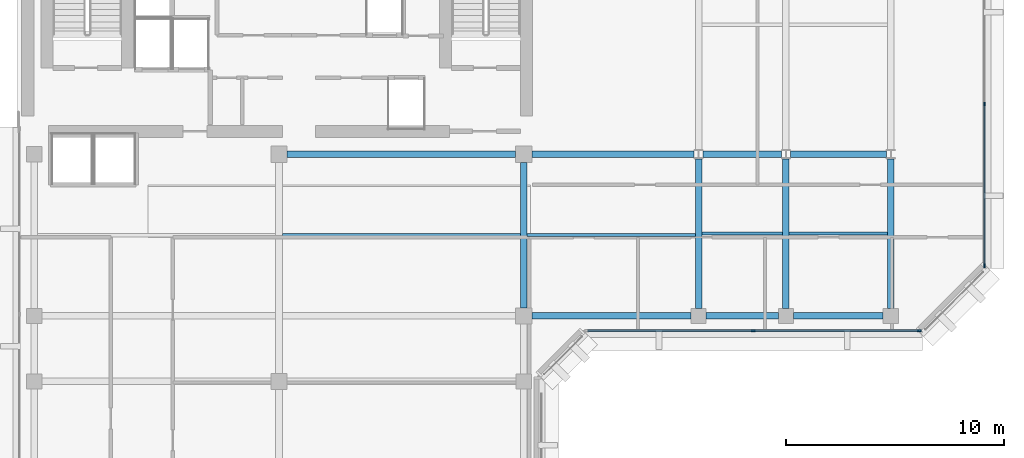
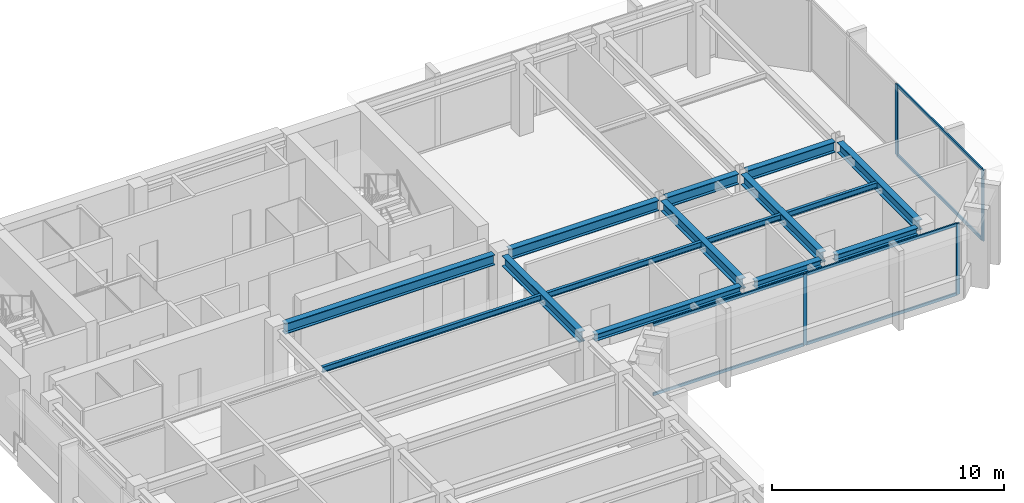
# One storey, part 3 of 11: 15 beams, 10 members, 2 elements without a shape of their own.
"""IFC4 building model written with IfcOpenShell, lengths in metres."""

from ifc_helpers import new_model, si_unit, direction, frame, origin, origin_2d, place, context, subcontext, project, spatial, rectangle, i_section, extrude, material, layer, layer_set, material_profile, profile_set, type_object, element, aggregate, save


model = new_model("IFC4")

# Units and contexts
model_context = context("Model", 3, precision=1e-05, world=origin(), true_north=direction((0.0, 1.0)))
body_context = subcontext(model_context, "Body", "Model", "MODEL_VIEW")
ifc_project = project(units=[si_unit("LENGTHUNIT", "METRE"), si_unit("AREAUNIT", "SQUARE_METRE"), si_unit("VOLUMEUNIT", "CUBIC_METRE"), si_unit("PLANEANGLEUNIT", "RADIAN"), si_unit("MASSUNIT", "GRAM", prefix="KILO")], contexts=[model_context])

# Site, building, storey
site_placement = place(None, origin())
site = spatial("IfcSite", under=ifc_project, at=site_placement, CompositionType="ELEMENT")
building_placement = place(site_placement, origin())
building = spatial("IfcBuilding", under=site, at=building_placement, Name="Kefirva Bronze Tower", CompositionType="ELEMENT")
storey_placement = place(building_placement, frame((0.0, 0.0, 284.1298828125)))
storey = spatial("IfcBuildingStorey", under=building, at=storey_placement, Name="L69", CompositionType="ELEMENT", Elevation=284.1298828125)

# Curtain wall, members
ifc_material_1 = material(Name="Bronze anodised aluminium", Category="aluminium")
ifc_layer = layer(ifc_material_1, 0.179931640625, Name="Bronze anodised aluminium")
ifc_layer_set = layer_set([ifc_layer], Name="Bronze anodised aluminium")
curtain_wall_type = type_object("IfcCurtainWallType", Name="Unitised Bronze Ribbon Curtain Wall Zone 4", PredefinedType="USERDEFINED", material=ifc_layer_set)
curtain_wall_1_placement = place(storey_placement, origin())
curtain_wall_1 = element("IfcCurtainWall", 1, at=curtain_wall_1_placement, inside=storey, type_object=curtain_wall_type, Name="L69 Curtain Wall 2", ObjectType="UNITISED CURTAIN WALL", PredefinedType="USERDEFINED")
ifc_material_profile_1 = material_profile(ifc_material_1, rectangle(XDim=0.074951171875, YDim=0.179931640625, at=origin_2d()), Name="ALU 75x180")
ifc_profile_set_1 = profile_set([ifc_material_profile_1], Name="Bronze anodised aluminium")
member_type_1 = type_object("IfcMemberType", Name="Bronze Mullion 75x180", PredefinedType="MULLION", material=ifc_profile_set_1)
member_1_placement = place(storey_placement, frame((33.699951171875, 25.1201171875, 0.0), z_axis=(0.0, 0.0, 1.0), x_axis=(0.0, 1.0, 0.0)))
member_1 = element("IfcMember", 2, at=member_1_placement, type_object=member_type_1, Name="CW-04 mullion 2", PredefinedType="MULLION", context=body_context, shape_type="SweptSolid", body=[
    extrude(rectangle(XDim=0.074951171875, YDim=0.179931640625, at=origin_2d()), origin(), (0.0, 0.0, 1.0), 3.740234375),
])
member_2_placement = place(storey_placement, frame((41.3076171875, 25.1201171875, 0.0), z_axis=(0.0, 0.0, 1.0), x_axis=(0.0, 1.0, 0.0)))
member_2 = element("IfcMember", 3, at=member_2_placement, type_object=member_type_1, Name="CW-04 mullion 3", PredefinedType="MULLION", context=body_context, shape_type="SweptSolid", body=[
    extrude(rectangle(XDim=0.074951171875, YDim=0.179931640625, at=origin_2d()), origin(), (0.0, 0.0, 1.0), 3.740234375),
])

curtain_wall_2_placement = place(storey_placement, origin())
curtain_wall_2 = element("IfcCurtainWall", 4, at=curtain_wall_2_placement, inside=storey, type_object=curtain_wall_type, Name="L69 Curtain Wall 3", ObjectType="UNITISED CURTAIN WALL", PredefinedType="USERDEFINED")
member_3_placement = place(storey_placement, frame((44.280029296875, 28.092529296875, 0.0), z_axis=(0.0, 0.0, 1.0), x_axis=(-1.0, 0.0, 0.0)))
member_3 = element("IfcMember", 5, at=member_3_placement, type_object=member_type_1, Name="CW-04 mullion 1", PredefinedType="MULLION", context=body_context, shape_type="SweptSolid", body=[
    extrude(rectangle(XDim=0.074951171875, YDim=0.179931640625, at=origin_2d()), origin(), (0.0, 0.0, 1.0), 3.740234375),
])
member_4_placement = place(storey_placement, frame((44.280029296875, 35.5, 0.0), z_axis=(0.0, 0.0, 1.0), x_axis=(-1.0, 0.0, 0.0)))
member_4 = element("IfcMember", 6, at=member_4_placement, type_object=member_type_1, Name="CW-04 mullion 2", PredefinedType="MULLION", context=body_context, shape_type="SweptSolid", body=[
    extrude(rectangle(XDim=0.074951171875, YDim=0.179931640625, at=origin_2d()), origin(), (0.0, 0.0, 1.0), 3.740234375),
])

# Member
ifc_material_profile_2 = material_profile(ifc_material_1, rectangle(XDim=0.074951171875, YDim=0.14990234375, at=origin_2d()), Name="ALU 75x150")
ifc_profile_set_2 = profile_set([ifc_material_profile_2], Name="Bronze anodised aluminium")
member_type_2 = type_object("IfcMemberType", Name="Bronze Transom 75x150", PredefinedType="USERDEFINED", material=ifc_profile_set_2)
member_5_placement = place(storey_placement, frame((26.1298828125, 25.1201171875, 0.03759765625), z_axis=(1.0, 0.0, 0.0), x_axis=(0.0, 1.0, 0.0)))
member_5 = element("IfcMember", 7, at=member_5_placement, type_object=member_type_2, Name="CW-04 transom 1.1", ObjectType="TRANSOM", PredefinedType="USERDEFINED", context=body_context, shape_type="SweptSolid", body=[
    extrude(rectangle(XDim=0.074951171875, YDim=0.14990234375, at=origin_2d()), origin(), (0.0, 0.0, 1.0), 7.53271484375),
])

member_6_placement = place(storey_placement, frame((26.1298828125, 25.1201171875, 3.70263671875), z_axis=(1.0, 0.0, 0.0), x_axis=(0.0, 1.0, 0.0)))
member_6 = element("IfcMember", 8, at=member_6_placement, type_object=member_type_2, Name="CW-04 transom 1.2", ObjectType="TRANSOM", PredefinedType="USERDEFINED", context=body_context, shape_type="SweptSolid", body=[
    extrude(rectangle(XDim=0.074951171875, YDim=0.14990234375, at=origin_2d()), origin(), (0.0, 0.0, 1.0), 7.53271484375),
])

member_7_placement = place(storey_placement, frame((33.737548828125, 25.1201171875, 0.03759765625), z_axis=(1.0, 0.0, 0.0), x_axis=(0.0, 1.0, 0.0)))
member_7 = element("IfcMember", 9, at=member_7_placement, type_object=member_type_2, Name="CW-04 transom 2.1", ObjectType="TRANSOM", PredefinedType="USERDEFINED", context=body_context, shape_type="SweptSolid", body=[
    extrude(rectangle(XDim=0.074951171875, YDim=0.14990234375, at=origin_2d()), origin(), (0.0, 0.0, 1.0), 7.532470703125),
])

member_8_placement = place(storey_placement, frame((33.737548828125, 25.1201171875, 3.70263671875), z_axis=(1.0, 0.0, 0.0), x_axis=(0.0, 1.0, 0.0)))
member_8 = element("IfcMember", 10, at=member_8_placement, type_object=member_type_2, Name="CW-04 transom 2.2", ObjectType="TRANSOM", PredefinedType="USERDEFINED", context=body_context, shape_type="SweptSolid", body=[
    extrude(rectangle(XDim=0.074951171875, YDim=0.14990234375, at=origin_2d()), origin(), (0.0, 0.0, 1.0), 7.532470703125),
])

aggregate(curtain_wall_1, [member_1, member_2, member_5, member_6, member_7, member_8])

member_9_placement = place(storey_placement, frame((44.280029296875, 28.1298828125, 0.03759765625), z_axis=(0.0, 1.0, 0.0), x_axis=(-1.0, 0.0, 0.0)))
member_9 = element("IfcMember", 11, at=member_9_placement, type_object=member_type_2, Name="CW-04 transom 1.1", ObjectType="TRANSOM", PredefinedType="USERDEFINED", context=body_context, shape_type="SweptSolid", body=[
    extrude(rectangle(XDim=0.074951171875, YDim=0.14990234375, at=origin_2d()), origin(), (0.0, 0.0, 1.0), 7.33251953125),
])

member_10_placement = place(storey_placement, frame((44.280029296875, 28.1298828125, 3.70263671875), z_axis=(0.0, 1.0, 0.0), x_axis=(-1.0, 0.0, 0.0)))
member_10 = element("IfcMember", 12, at=member_10_placement, type_object=member_type_2, Name="CW-04 transom 1.2", ObjectType="TRANSOM", PredefinedType="USERDEFINED", context=body_context, shape_type="SweptSolid", body=[
    extrude(rectangle(XDim=0.074951171875, YDim=0.14990234375, at=origin_2d()), origin(), (0.0, 0.0, 1.0), 7.33251953125),
])

aggregate(curtain_wall_2, [member_3, member_4, member_9, member_10])

# Beams
ifc_material_2 = material(Name="Steel S355", Category="steel")
ifc_material_profile_3 = material_profile(ifc_material_2, i_section(OverallWidth=0.14990234375, OverallDepth=0.300048828125, WebThickness=0.007080078125, FlangeThickness=0.0107421875, at=origin_2d()), Name="IPE 300")
ifc_profile_set_3 = profile_set([ifc_material_profile_3], Name="Steel S355")
beam_type_1 = type_object("IfcBeamType", Name="Steel Floor Joist IPE 300", PredefinedType="JOIST", material=ifc_profile_set_3)
beam_1_placement = place(storey_placement, frame((12.14990234375, 29.5, 3.590087890625), z_axis=(1.0, 0.0, 0.0), x_axis=(0.0, 1.0, 0.0)))
element("IfcBeam", 13, at=beam_1_placement, inside=storey, type_object=beam_type_1, Name="L69 JST-L69-12-295", PredefinedType="JOIST", context=body_context, shape_type="SweptSolid", body=[
    extrude(i_section(OverallWidth=0.14990234375, OverallDepth=0.300048828125, WebThickness=0.007080078125, FlangeThickness=0.0107421875, at=origin_2d()), origin(), (0.0, 0.0, 1.0), 10.900146484375),
])
beam_2_placement = place(storey_placement, frame((23.35009765625, 29.5, 3.590087890625), z_axis=(1.0, 0.0, 0.0), x_axis=(0.0, 1.0, 0.0)))
element("IfcBeam", 14, at=beam_2_placement, inside=storey, type_object=beam_type_1, Name="L69 JST-L69-23-295", PredefinedType="JOIST", context=body_context, shape_type="SweptSolid", body=[
    extrude(i_section(OverallWidth=0.14990234375, OverallDepth=0.300048828125, WebThickness=0.007080078125, FlangeThickness=0.0107421875, at=origin_2d()), origin(), (0.0, 0.0, 1.0), 7.699951171875),
])
beam_3_placement = place(storey_placement, frame((31.35009765625, 29.571044921875, 3.590087890625), z_axis=(1.0, 0.0, 0.0), x_axis=(0.0, 1.0, 0.0)))
element("IfcBeam", 15, at=beam_3_placement, inside=storey, type_object=beam_type_1, Name="L69 JST-L69-31-295", PredefinedType="JOIST", context=body_context, shape_type="SweptSolid", body=[
    extrude(i_section(OverallWidth=0.14990234375, OverallDepth=0.300048828125, WebThickness=0.007080078125, FlangeThickness=0.0107421875, at=origin_2d()), origin(), (0.0, 0.0, 1.0), 3.699951171875),
])
beam_4_placement = place(storey_placement, frame((35.35009765625, 29.571044921875, 3.590087890625), z_axis=(1.0, 0.0, 0.0), x_axis=(0.0, 1.0, 0.0)))
element("IfcBeam", 16, at=beam_4_placement, inside=storey, type_object=beam_type_1, Name="L69 JST-L69-35-295", PredefinedType="JOIST", context=body_context, shape_type="SweptSolid", body=[
    extrude(i_section(OverallWidth=0.14990234375, OverallDepth=0.300048828125, WebThickness=0.007080078125, FlangeThickness=0.0107421875, at=origin_2d()), origin(), (0.0, 0.0, 1.0), 4.5),
])
ifc_material_profile_4 = material_profile(ifc_material_2, i_section(OverallWidth=0.300048828125, OverallDepth=0.550048828125, WebThickness=0.014892578125, FlangeThickness=0.029052734375, at=origin_2d()), Name="HEB 550")
ifc_profile_set_4 = profile_set([ifc_material_profile_4], Name="Steel S355")
beam_type_2 = type_object("IfcBeamType", Name="Steel Girder HEB 550", PredefinedType="USERDEFINED", material=ifc_profile_set_4)
beam_5_placement = place(storey_placement, frame((12.3701171875, 33.199951171875, 3.465087890625), z_axis=(1.0, 0.0, 0.0), x_axis=(0.0, 1.0, 0.0)))
element("IfcBeam", 17, at=beam_5_placement, inside=storey, type_object=beam_type_2, Name="L69 BM-L69-EW-12-332", ObjectType="GIRDER", PredefinedType="USERDEFINED", context=body_context, shape_type="SweptSolid", body=[
    extrude(i_section(OverallWidth=0.300048828125, OverallDepth=0.550048828125, WebThickness=0.014892578125, FlangeThickness=0.029052734375, at=origin_2d()), origin(), (0.0, 0.0, 1.0), 10.4599609375),
])
beam_6_placement = place(storey_placement, frame((23.570068359375, 33.199951171875, 3.465087890625), z_axis=(1.0, 0.0, 0.0), x_axis=(0.0, 1.0, 0.0)))
element("IfcBeam", 18, at=beam_6_placement, inside=storey, type_object=beam_type_2, Name="L69 BM-L69-EW-23-332", ObjectType="GIRDER", PredefinedType="USERDEFINED", context=body_context, shape_type="SweptSolid", body=[
    extrude(i_section(OverallWidth=0.300048828125, OverallDepth=0.550048828125, WebThickness=0.014892578125, FlangeThickness=0.029052734375, at=origin_2d()), origin(), (0.0, 0.0, 1.0), 7.427001953125),
])
beam_7_placement = place(storey_placement, frame((31.403076171875, 33.199951171875, 3.465087890625), z_axis=(1.0, 0.0, 0.0), x_axis=(0.0, 1.0, 0.0)))
element("IfcBeam", 19, at=beam_7_placement, inside=storey, type_object=beam_type_2, Name="L69 BM-L69-EW-31-332", ObjectType="GIRDER", PredefinedType="USERDEFINED", context=body_context, shape_type="SweptSolid", body=[
    extrude(i_section(OverallWidth=0.300048828125, OverallDepth=0.550048828125, WebThickness=0.014892578125, FlangeThickness=0.029052734375, at=origin_2d()), origin(), (0.0, 0.0, 1.0), 3.593994140625),
])
beam_8_placement = place(storey_placement, frame((35.403076171875, 33.199951171875, 3.465087890625), z_axis=(1.0, 0.0, 0.0), x_axis=(0.0, 1.0, 0.0)))
element("IfcBeam", 20, at=beam_8_placement, inside=storey, type_object=beam_type_2, Name="L69 BM-L69-EW-35-332", ObjectType="GIRDER", PredefinedType="USERDEFINED", context=body_context, shape_type="SweptSolid", body=[
    extrude(i_section(OverallWidth=0.300048828125, OverallDepth=0.550048828125, WebThickness=0.014892578125, FlangeThickness=0.029052734375, at=origin_2d()), origin(), (0.0, 0.0, 1.0), 4.39404296875),
])
beam_9_placement = place(storey_placement, frame((23.199951171875, 26.169921875, 3.465087890625), z_axis=(0.0, 1.0, 0.0), x_axis=(-1.0, 0.0, 0.0)))
element("IfcBeam", 21, at=beam_9_placement, inside=storey, type_object=beam_type_2, Name="L69 BM-L69-NS-232-25", ObjectType="GIRDER", PredefinedType="USERDEFINED", context=body_context, shape_type="SweptSolid", body=[
    extrude(i_section(OverallWidth=0.300048828125, OverallDepth=0.550048828125, WebThickness=0.014892578125, FlangeThickness=0.029052734375, at=origin_2d()), origin(), (0.0, 0.0, 1.0), 6.66015625),
])
for number, where, z_axis, x_axis, name in (
    (22, (31.199951171875, 26.14990234375, 3.465087890625), (0.0, 1.0, 0.0), (-1.0, 0.0, 0.0), "L69 BM-L69-NS-312-25"),
    (23, (35.199951171875, 26.14990234375, 3.465087890625), (0.0, 1.0, 0.0), (-1.0, 0.0, 0.0), "L69 BM-L69-NS-352-25"),
    (24, (40.0, 26.14990234375, 3.465087890625), (0.0, 1.0, 0.0), (-1.0, 0.0, 0.0), "L69 BM-L69-NS-400-25"),
):
    element("IfcBeam", number, at=place(storey_placement, frame(where, z_axis=z_axis, x_axis=x_axis)), inside=storey, type_object=beam_type_2, Name=name, ObjectType="GIRDER", PredefinedType="USERDEFINED", context=body_context, shape_type="SweptSolid", body=[
        extrude(i_section(OverallWidth=0.300048828125, OverallDepth=0.550048828125, WebThickness=0.014892578125, FlangeThickness=0.029052734375, at=origin_2d()), origin(), (0.0, 0.0, 1.0), 6.842041015625),
    ])
ifc_material_profile_5 = material_profile(ifc_material_2, i_section(OverallWidth=0.300048828125, OverallDepth=0.360107421875, WebThickness=0.012451171875, FlangeThickness=0.0224609375, at=origin_2d()), Name="HEB 360")
ifc_profile_set_5 = profile_set([ifc_material_profile_5], Name="Steel S355")
beam_type_3 = type_object("IfcBeamType", Name="Steel Spandrel HEB 360 Ext", PredefinedType="SPANDREL", material=ifc_profile_set_5)
beam_10_placement = place(storey_placement, frame((23.570068359375, 25.800048828125, 3.56005859375), z_axis=(1.0, 0.0, 0.0), x_axis=(0.0, 1.0, 0.0)))
element("IfcBeam", 25, at=beam_10_placement, inside=storey, type_object=beam_type_3, Name="L69 BM-L69-EW-23-258", PredefinedType="SPANDREL", context=body_context, shape_type="SweptSolid", body=[
    extrude(i_section(OverallWidth=0.300048828125, OverallDepth=0.360107421875, WebThickness=0.012451171875, FlangeThickness=0.0224609375, at=origin_2d()), origin(), (0.0, 0.0, 1.0), 7.280029296875),
])
beam_11_placement = place(storey_placement, frame((31.550048828125, 25.800048828125, 3.56005859375), z_axis=(1.0, 0.0, 0.0), x_axis=(0.0, 1.0, 0.0)))
element("IfcBeam", 26, at=beam_11_placement, inside=storey, type_object=beam_type_3, Name="L69 BM-L69-EW-31-258", PredefinedType="SPANDREL", context=body_context, shape_type="SweptSolid", body=[
    extrude(i_section(OverallWidth=0.300048828125, OverallDepth=0.360107421875, WebThickness=0.012451171875, FlangeThickness=0.0224609375, at=origin_2d()), origin(), (0.0, 0.0, 1.0), 3.300048828125),
])
beam_12_placement = place(storey_placement, frame((35.550048828125, 25.800048828125, 3.56005859375), z_axis=(1.0, 0.0, 0.0), x_axis=(0.0, 1.0, 0.0)))
element("IfcBeam", 27, at=beam_12_placement, inside=storey, type_object=beam_type_3, Name="L69 BM-L69-EW-35-258", PredefinedType="SPANDREL", context=body_context, shape_type="SweptSolid", body=[
    extrude(i_section(OverallWidth=0.300048828125, OverallDepth=0.360107421875, WebThickness=0.012451171875, FlangeThickness=0.0224609375, at=origin_2d()), origin(), (0.0, 0.0, 1.0), 4.099853515625),
])

save(model, "model.ifc")
